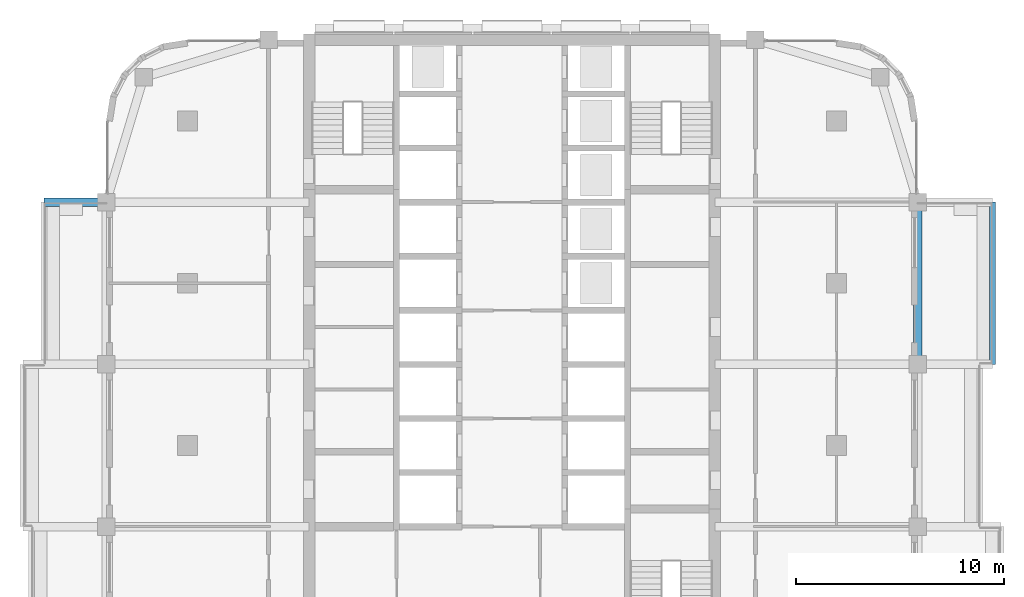
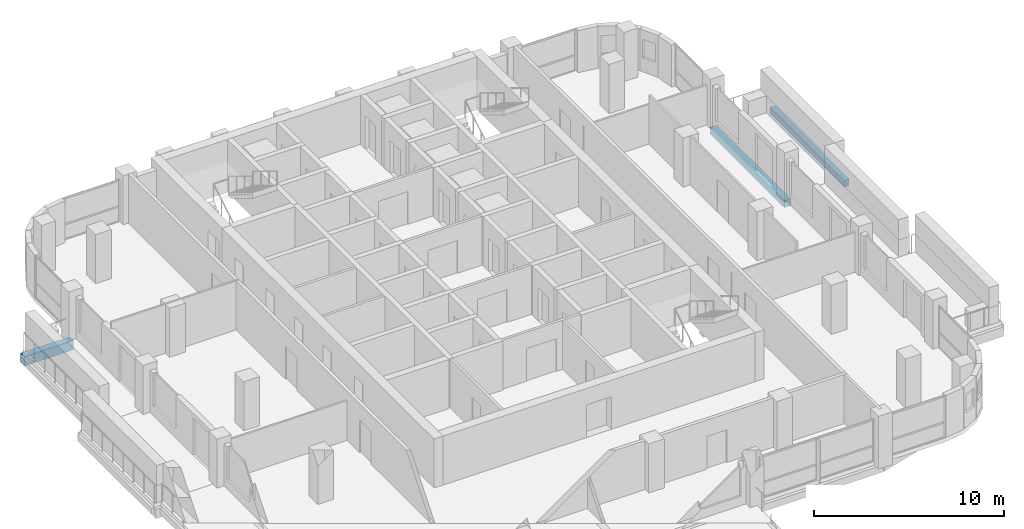
# One storey, part 6 of 19: 3 beams.
"""IFC4 building model written with IfcOpenShell, lengths in metres."""

from ifc_helpers import new_model, si_unit, direction, frame, origin, origin_2d, place, context, subcontext, project, spatial, rectangle, extrude, material, material_profile, profile_set, type_object, element, save


model = new_model("IFC4")

# Units and contexts
model_context = context("Model", 3, precision=1e-05, world=origin(), true_north=direction((0.0, 1.0)))
body_context = subcontext(model_context, "Body", "Model", "MODEL_VIEW")
ifc_project = project(units=[si_unit("LENGTHUNIT", "METRE"), si_unit("AREAUNIT", "SQUARE_METRE"), si_unit("VOLUMEUNIT", "CUBIC_METRE"), si_unit("PLANEANGLEUNIT", "RADIAN"), si_unit("MASSUNIT", "GRAM", prefix="KILO")], contexts=[model_context])

# Site, building, storey
site_placement = place(None, origin())
site = spatial("IfcSite", under=ifc_project, at=site_placement, CompositionType="ELEMENT")
building_placement = place(site_placement, origin())
building = spatial("IfcBuilding", under=site, at=building_placement, Name="Ludao Terraces", CompositionType="ELEMENT")
storey_placement = place(building_placement, frame((0.0, 0.0, 133.89990234375)))
storey = spatial("IfcBuildingStorey", under=building, at=storey_placement, Name="L36", CompositionType="ELEMENT", Elevation=133.89990234375)

# Beams
ifc_material = material(Name="Concrete C40", Category="concrete")
ifc_material_profile_1 = material_profile(ifc_material, rectangle(XDim=0.300048828125, YDim=0.39990234375, at=origin_2d()), Name="300 X 400")
ifc_profile_set_1 = profile_set([ifc_material_profile_1], Name="Concrete C40")
beam_type_1 = type_object("IfcBeamType", Name="RC beam 300x400 C40", PredefinedType="BEAM", material=ifc_profile_set_1)
beam_1_placement = place(storey_placement, frame((108.10009765625, 68.89990234375, -0.449951171875), z_axis=(0.0, 1.0, 0.0), x_axis=(-1.0, 0.0, 0.0)))
element("IfcBeam", 1, at=beam_1_placement, inside=storey, type_object=beam_type_1, Name="Balcony edge beam L36 E3", PredefinedType="BEAM", context=body_context, shape_type="SweptSolid", body=[
    extrude(rectangle(XDim=0.300048828125, YDim=0.39990234375, at=origin_2d()), origin(), (0.0, 0.0, 1.0), 7.800048828125),
])
ifc_material_profile_2 = material_profile(ifc_material, rectangle(XDim=0.39990234375, YDim=0.449951171875, at=origin_2d()), Name="400 X 450")
ifc_profile_set_2 = profile_set([ifc_material_profile_2], Name="Concrete C40")
beam_type_2 = type_object("IfcBeamType", Name="RC beam 400x450 C40", PredefinedType="BEAM", material=ifc_profile_set_2)
beam_2_placement = place(storey_placement, frame((104.5, 68.89990234375, -0.474853515625), z_axis=(0.0, 1.0, 0.0), x_axis=(-1.0, 0.0, 0.0)))
element("IfcBeam", 2, at=beam_2_placement, inside=storey, type_object=beam_type_2, Name="Spandrel beam L36 E16", PredefinedType="BEAM", context=body_context, shape_type="SweptSolid", body=[
    extrude(rectangle(XDim=0.39990234375, YDim=0.449951171875, at=origin_2d()), origin(), (0.0, 0.0, 1.0), 7.800048828125),
])
ifc_material_profile_3 = material_profile(ifc_material, rectangle(XDim=0.39990234375, YDim=0.60009765625, at=origin_2d()), Name="400 X 600")
ifc_profile_set_3 = profile_set([ifc_material_profile_3], Name="Concrete C40")
beam_type_3 = type_object("IfcBeamType", Name="RC beam 400x600 C40", PredefinedType="BEAM", material=ifc_profile_set_3)
beam_3_placement = place(storey_placement, frame((65.5, 76.699951171875, -0.5498046875), z_axis=(-1.0, 0.0, 0.0), x_axis=(0.0, -1.0, 0.0)))
element("IfcBeam", 3, at=beam_3_placement, inside=storey, type_object=beam_type_3, Name="Balcony beam L36 W767", PredefinedType="BEAM", context=body_context, shape_type="SweptSolid", body=[
    extrude(rectangle(XDim=0.39990234375, YDim=0.60009765625, at=origin_2d()), origin(), (0.0, 0.0, 1.0), 3.0),
])

save(model, "model.ifc")
